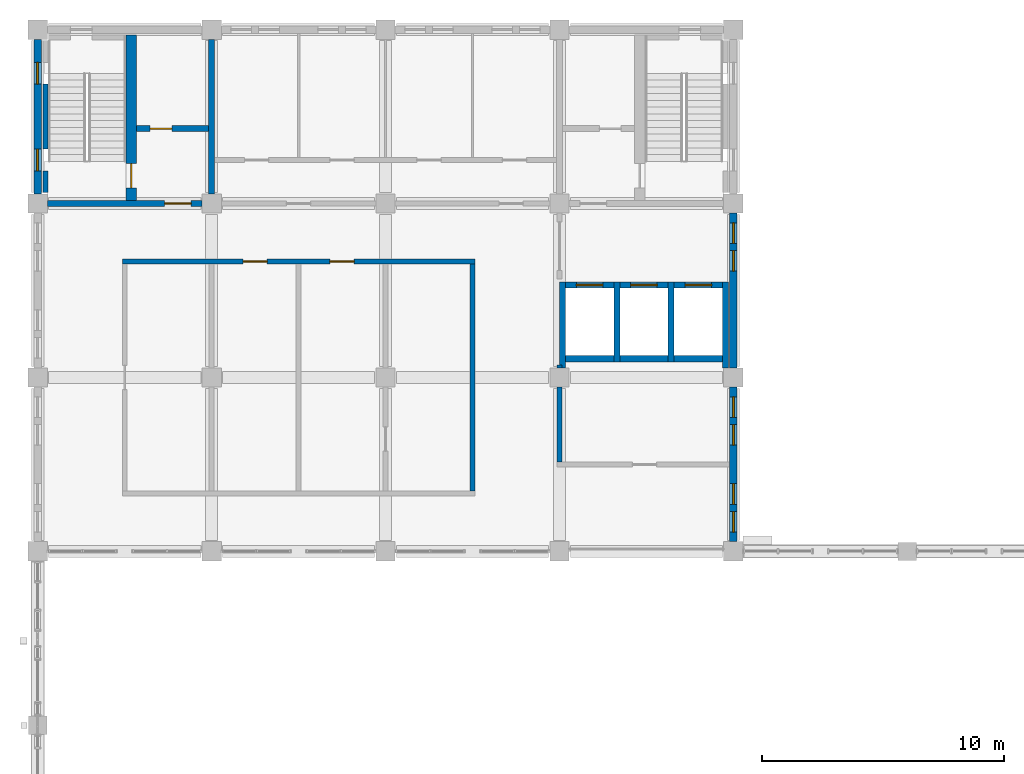
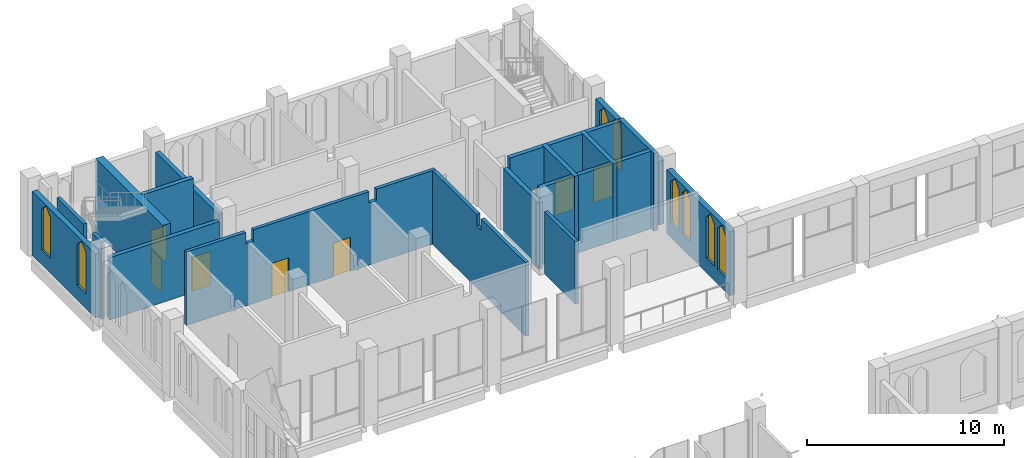
# One storey, part 22 of 31: 23 walls, 8 doors, 8 windows, 16 openings.
"""IFC4 building model written with IfcOpenShell, lengths in metres."""

import ifcopenshell
import ifcopenshell.guid

model = None  # the IFC model being written
_history = None  # IfcOwnerHistory: only IFC2X3 demands one
_inside = {}  # id of a spatial element -> (the spatial element, [elements in it])
_under = {}  # id of a project, library or spatial element -> (it, [spatial elements below it])
_declared = {}  # id of a project -> (the project, [libraries it declares])
_typed = {}  # id of a type object -> (the type object, [elements of that type])
_made_of = {}  # id of a material, layer set ... -> (it, [elements and type objects made of it])


def new_model(schema):
    """Start an empty IFC model of exactly this schema.

    Asked for "IFC4X3", IfcOpenShell would pick the latest addendum, in which some entities
    have other attributes; the version numbers below select the first issue.
    IFC2X3 requires an IfcOwnerHistory on every rooted entity: one is made here for all.
    """
    global model, _history
    if schema == "IFC4X3":
        model = ifcopenshell.file(schema_version=(4, 3, 0, 0))
    else:
        model = ifcopenshell.file(schema=schema)
    _inside.clear()
    _under.clear()
    _declared.clear()
    _typed.clear()
    _made_of.clear()
    _history = None
    if model.schema == "IFC2X3":
        org = make("IfcOrganization", Name="unknown")
        user = make(
            "IfcPersonAndOrganization",
            ThePerson=make("IfcPerson", FamilyName="unknown"),
            TheOrganization=org,
        )
        app = make(
            "IfcApplication",
            ApplicationDeveloper=org,
            Version="unknown",
            ApplicationFullName="unknown",
            ApplicationIdentifier="unknown",
        )
        _history = make(
            "IfcOwnerHistory",
            OwningUser=user,
            OwningApplication=app,
            ChangeAction="ADDED",
            CreationDate=0,
        )
    return model


def make(cls, **values):
    """One entity of the class cls with the attributes given. An attribute that is None is left unset."""
    return model.create_entity(
        cls, **{name: value for name, value in values.items() if value is not None}
    )


def rooted(cls, **values):
    """An entity with a GlobalId (a new one), such as an element, a storey or a relation."""
    return make(cls, GlobalId=ifcopenshell.guid.new(), OwnerHistory=_history, **values)


def si_unit(unit_type, name, prefix=None):
    """IfcSIUnit, for example si_unit("LENGTHUNIT", "METRE", prefix="MILLI")."""
    return make("IfcSIUnit", UnitType=unit_type, Prefix=prefix, Name=name)


def assignment(units):
    """IfcUnitAssignment: the units of a project."""
    return None if units is None else make("IfcUnitAssignment", Units=units)


def point(xyz):
    """IfcCartesianPoint."""
    return None if xyz is None else make("IfcCartesianPoint", Coordinates=xyz)


def direction(xyz):
    """IfcDirection."""
    return None if xyz is None else make("IfcDirection", DirectionRatios=xyz)


def frame(location, z_axis=None, x_axis=None):
    """IfcAxis2Placement3D, a coordinate frame: its origin and axes. An axis left out is left unset."""
    return make(
        "IfcAxis2Placement3D",
        Location=point(location),
        Axis=direction(z_axis),
        RefDirection=direction(x_axis),
    )


def frame_2d(location, x_axis=None):
    """IfcAxis2Placement2D, a coordinate frame in the plane: its origin and x axis."""
    return make(
        "IfcAxis2Placement2D", Location=point(location), RefDirection=direction(x_axis)
    )


def origin():
    """The frame at (0, 0, 0) with its axes left unset."""
    return frame((0.0, 0.0, 0.0))


def place(relative_to, where):
    """IfcLocalPlacement: puts the frame where relative to a parent placement (None: the world)."""
    return make(
        "IfcLocalPlacement", PlacementRelTo=relative_to, RelativePlacement=where
    )


def context(
    kind, dimensions, precision=None, world=None, true_north=None, identifier=None
):
    """IfcGeometricRepresentationContext, for example the 3D "Model" context."""
    return make(
        "IfcGeometricRepresentationContext",
        ContextIdentifier=identifier,
        ContextType=kind,
        CoordinateSpaceDimension=dimensions,
        Precision=precision,
        WorldCoordinateSystem=world,
        TrueNorth=true_north,
    )


def subcontext(parent, identifier, kind, view, scale=None):
    """IfcGeometricRepresentationSubContext, for example "Body" below "Model"."""
    return make(
        "IfcGeometricRepresentationSubContext",
        ContextIdentifier=identifier,
        ContextType=kind,
        ParentContext=parent,
        TargetScale=scale,
        TargetView=view,
    )


def project(units=None, contexts=None):
    """IfcProject with its units and contexts."""
    return rooted(
        "IfcProject",
        Name="project",
        RepresentationContexts=contexts,
        UnitsInContext=assignment(units),
    )


def spatial(cls, under=None, at=None, **own):
    """A site, building, storey or space (cls), placed at a placement, below another one or the project."""
    s = rooted(cls, ObjectPlacement=at, **own)
    if under is not None:
        _under.setdefault(under.id(), (under, []))[1].append(s)
    return s


def polyline(points):
    """IfcPolyline through the points."""
    return make("IfcPolyline", Points=[point(p) for p in points])


def profile(cls, at=None, kind="AREA", **sizes):
    """A parametric profile (cls). Its sizes go by their IFC names, for example OverallWidth=200.0."""
    return make(cls, ProfileType=kind, Position=at, **sizes)


def rectangle(**sizes):
    """IfcRectangleProfileDef."""
    return profile("IfcRectangleProfileDef", **sizes)


def outline(outer, holes=None, kind="AREA"):
    """IfcArbitraryClosedProfileDef: a profile drawn as a closed curve; with holes, ...WithVoids."""
    if holes is None:
        return make("IfcArbitraryClosedProfileDef", ProfileType=kind, OuterCurve=outer)
    return make(
        "IfcArbitraryProfileDefWithVoids",
        ProfileType=kind,
        OuterCurve=outer,
        InnerCurves=holes,
    )


def extrude(swept, where, along, depth):
    """IfcExtrudedAreaSolid: the profile swept, set in the frame where, extruded along a direction by depth."""
    return make(
        "IfcExtrudedAreaSolid",
        SweptArea=swept,
        Position=where,
        ExtrudedDirection=direction(along),
        Depth=depth,
    )


def shape(context_of_items, identifier, shape_type, items):
    """IfcShapeRepresentation: the items that make up one representation, for example the "Body"."""
    return make(
        "IfcShapeRepresentation",
        ContextOfItems=context_of_items,
        RepresentationIdentifier=identifier,
        RepresentationType=shape_type,
        Items=items,
    )


def material(Name=None, Category=None):
    """IfcMaterial."""
    return make("IfcMaterial", Name=Name, Category=Category)


def layer(
    of_material, thickness, ventilated=None, Name=None, Category=None, Priority=None
):
    """IfcMaterialLayer: one layer of a wall or slab, of a material (None: an air gap)."""
    return make(
        "IfcMaterialLayer",
        Material=of_material,
        LayerThickness=thickness,
        IsVentilated=ventilated,
        Name=Name,
        Category=Category,
        Priority=Priority,
    )


def layer_set(layers, Name=None):
    """IfcMaterialLayerSet."""
    return make("IfcMaterialLayerSet", MaterialLayers=layers, LayerSetName=Name)


def made_of(thing, what):
    """Note that an element or type object is made of a material, layer set ...; save() writes the relation."""
    if what is not None:
        _made_of.setdefault(what.id(), (what, []))[1].append(thing)
    return thing


def type_object(cls, material=None, **own):
    """A type object (cls), such as IfcWallType, which elements share."""
    return made_of(rooted(cls, **own), material)


def element(
    cls,
    number,
    at=None,
    inside=None,
    cuts=None,
    type_object=None,
    material=None,
    context=None,
    identifier="Body",
    shape_type=None,
    held_by="IfcProductDefinitionShape",
    body=None,
    shapes=None,
    **own,
):
    """One element of the class cls, such as IfcWall. Its Tag is "e" and its number.

    at: its placement. inside: the storey or other place that contains it. cuts: it is an
    opening in that element (IfcRelVoidsElement). A single representation is given by context,
    identifier, shape_type and body (its items); several are given by shapes. held_by: the class
    of the entity that holds the representations. save() writes the other relations.
    """
    e = rooted(cls, Tag="e%d" % number, ObjectPlacement=at, **own)
    if body is not None:
        shapes = [shape(context, identifier, shape_type, body)]
    if shapes is not None:
        e.Representation = make(held_by, Representations=shapes)
    if inside is not None:
        _inside.setdefault(inside.id(), (inside, []))[1].append(e)
    if cuts is not None:
        rooted(
            "IfcRelVoidsElement", RelatingBuildingElement=cuts, RelatedOpeningElement=e
        )
    if type_object is not None:
        _typed.setdefault(type_object.id(), (type_object, []))[1].append(e)
    return made_of(e, material)


def fill(opening, filler):
    """IfcRelFillsElement: the door or window that sits in an opening."""
    return rooted(
        "IfcRelFillsElement",
        RelatingOpeningElement=opening,
        RelatedBuildingElement=filler,
    )


def aggregate(whole, parts):
    """IfcRelAggregates: a whole, such as a stair, and the parts it consists of."""
    return rooted("IfcRelAggregates", RelatingObject=whole, RelatedObjects=parts)


def save(model, path):
    """Write the relations noted so far, then the file.

    IfcRelAggregates (storeys below a building ...), IfcRelContainedInSpatialStructure (elements
    in a storey), IfcRelDefinesByType, IfcRelAssociatesMaterial and IfcRelDeclares: one each for
    every whole, place, type object, material and project.
    """
    for whole, parts in _under.values():
        aggregate(whole, parts)
    for where, things in _inside.values():
        rooted(
            "IfcRelContainedInSpatialStructure",
            RelatedElements=things,
            RelatingStructure=where,
        )
    for kind, things in _typed.values():
        rooted("IfcRelDefinesByType", RelatedObjects=things, RelatingType=kind)
    for what, things in _made_of.values():
        rooted("IfcRelAssociatesMaterial", RelatedObjects=things, RelatingMaterial=what)
    for by, libraries in _declared.values():
        rooted("IfcRelDeclares", RelatingContext=by, RelatedDefinitions=libraries)
    model.write(path)


model = new_model("IFC4")

# Units and contexts
model_context = context("Model", 3, precision=1e-05, world=origin(), true_north=direction((0.0, 1.0)))
body_context = subcontext(model_context, "Body", "Model", "MODEL_VIEW")
ifc_project = project(units=[si_unit("LENGTHUNIT", "METRE"), si_unit("AREAUNIT", "SQUARE_METRE"), si_unit("VOLUMEUNIT", "CUBIC_METRE"), si_unit("PLANEANGLEUNIT", "RADIAN"), si_unit("MASSUNIT", "GRAM", prefix="KILO")], contexts=[model_context])

# Site, building, storey
site_placement = place(None, origin())
site = spatial("IfcSite", under=ifc_project, at=site_placement, CompositionType="ELEMENT")
building_placement = place(site_placement, origin())
building = spatial("IfcBuilding", under=site, at=building_placement, Name="Silangan Lancet Faculty of Sciences", CompositionType="ELEMENT")
storey_placement = place(building_placement, frame((0.0, 0.0, 36.0)))
storey = spatial("IfcBuildingStorey", under=building, at=storey_placement, Name="L07", CompositionType="ELEMENT", Elevation=36.0)

# Wall, openings, windows
ifc_material_1 = material(Name="Concrete C40/50 precast", Category="concrete")
ifc_layer_1 = layer(ifc_material_1, 0.300048828125)
ifc_layer_set_1 = layer_set([ifc_layer_1], Name="Concrete C40/50 precast")
wall_type_1 = type_object("IfcWallType", Name="EW1 Precast cladding wall", PredefinedType="STANDARD", material=ifc_layer_set_1)
wall_1_placement = place(storey_placement, frame((28.800048828125, 36.39990234375, 0.0), z_axis=(0.0, 0.0, 1.0), x_axis=(0.0, 1.0, 0.0)))
wall_1 = element("IfcWall", 1, at=wall_1_placement, inside=storey, type_object=wall_type_1, Name="EW-L07-E-NT-00", PredefinedType="STANDARD", context=body_context, shape_type="SweptSolid", body=[
    extrude(rectangle(XDim=6.400146484375, YDim=0.300048828125, at=frame_2d((3.2001953125, 0.0))), origin(), (0.0, 0.0, 1.0), 3.949951171875),
])
opening_1_placement = place(wall_1_placement, frame((0.39990234375, 0.0, 0.89990234375)))
opening_1 = element("IfcOpeningElement", 2, at=opening_1_placement, cuts=wall_1, Name="Opening W19", PredefinedType="OPENING", context=body_context, shape_type="SweptSolid", body=[
    extrude(outline(polyline([(0.0, 0.0), (0.85009765625, 0.0), (0.85009765625, 2.550048828125), (0.425048828125, 3.0), (0.0, 2.550048828125), (0.0, 0.0)])), frame((0.0, 0.159912109375, 0.0), z_axis=(0.0, -1.0, 0.0), x_axis=(1.0, 0.0, 0.0)), (0.0, 0.0, 1.0), 0.320068359375),
])
opening_2_placement = place(wall_1_placement, frame((1.550048828125, 0.0, 0.89990234375)))
opening_2 = element("IfcOpeningElement", 3, at=opening_2_placement, cuts=wall_1, Name="Opening W19", PredefinedType="OPENING", context=body_context, shape_type="SweptSolid", body=[
    extrude(outline(polyline([(0.0, 0.0), (0.85009765625, 0.0), (0.85009765625, 2.550048828125), (0.425048828125, 3.0), (0.0, 2.550048828125), (0.0, 0.0)])), frame((0.0, 0.159912109375, 0.0), z_axis=(0.0, -1.0, 0.0), x_axis=(1.0, 0.0, 0.0)), (0.0, 0.0, 1.0), 0.320068359375),
])
opening_3_placement = place(wall_1_placement, frame((4.0, 0.0, 0.89990234375)))
opening_3 = element("IfcOpeningElement", 4, at=opening_3_placement, cuts=wall_1, Name="Opening W19", PredefinedType="OPENING", context=body_context, shape_type="SweptSolid", body=[
    extrude(outline(polyline([(0.0, 0.0), (0.85009765625, 0.0), (0.85009765625, 2.550048828125), (0.425048828125, 3.0), (0.0, 2.550048828125), (0.0, 0.0)])), frame((0.0, 0.159912109375, 0.0), z_axis=(0.0, -1.0, 0.0), x_axis=(1.0, 0.0, 0.0)), (0.0, 0.0, 1.0), 0.320068359375),
])
opening_4_placement = place(wall_1_placement, frame((5.14990234375, 0.0, 0.89990234375)))
opening_4 = element("IfcOpeningElement", 5, at=opening_4_placement, cuts=wall_1, Name="Opening W19", PredefinedType="OPENING", context=body_context, shape_type="SweptSolid", body=[
    extrude(outline(polyline([(0.0, 0.0), (0.85009765625, 0.0), (0.85009765625, 2.550048828125), (0.425048828125, 3.0), (0.0, 2.550048828125), (0.0, 0.0)])), frame((0.0, 0.159912109375, 0.0), z_axis=(0.0, -1.0, 0.0), x_axis=(1.0, 0.0, 0.0)), (0.0, 0.0, 1.0), 0.320068359375),
])
ifc_material_2 = material(Name="Aluminium frame, laminated double glazing", Category="aluminium")
window_type_1 = type_object("IfcWindowType", Name="W19 Lancet window 850 x 3000", PartitioningType="SINGLE_PANEL", PredefinedType="WINDOW", material=ifc_material_2)
window_1_placement = place(opening_1_placement, origin())
window_1 = element("IfcWindow", 6, at=window_1_placement, inside=storey, type_object=window_type_1, Name="WIN-L07-E-NT-00a1", OverallHeight=3.0, OverallWidth=0.85009765625, PartitioningType="SINGLE_PANEL", PredefinedType="WINDOW", context=body_context, shape_type="SweptSolid", body=[
    extrude(outline(polyline([(0.0, 0.0), (0.85009765625, 0.0), (0.85009765625, 2.550048828125), (0.425048828125, 3.0), (0.0, 2.550048828125), (0.0, 0.0)])), frame((0.0, 0.030029296875, 0.0), z_axis=(0.0, -1.0, 0.0), x_axis=(1.0, 0.0, 0.0)), (0.0, 0.0, 1.0), 0.06005859375),
])
fill(opening_1, window_1)
window_2_placement = place(opening_2_placement, origin())
window_2 = element("IfcWindow", 7, at=window_2_placement, inside=storey, type_object=window_type_1, Name="WIN-L07-E-NT-00a2", OverallHeight=3.0, OverallWidth=0.85009765625, PartitioningType="SINGLE_PANEL", PredefinedType="WINDOW", context=body_context, shape_type="SweptSolid", body=[
    extrude(outline(polyline([(0.0, 0.0), (0.85009765625, 0.0), (0.85009765625, 2.550048828125), (0.425048828125, 3.0), (0.0, 2.550048828125), (0.0, 0.0)])), frame((0.0, 0.030029296875, 0.0), z_axis=(0.0, -1.0, 0.0), x_axis=(1.0, 0.0, 0.0)), (0.0, 0.0, 1.0), 0.06005859375),
])
fill(opening_2, window_2)
window_3_placement = place(opening_3_placement, origin())
window_3 = element("IfcWindow", 8, at=window_3_placement, inside=storey, type_object=window_type_1, Name="WIN-L07-E-NT-00b1", OverallHeight=3.0, OverallWidth=0.85009765625, PartitioningType="SINGLE_PANEL", PredefinedType="WINDOW", context=body_context, shape_type="SweptSolid", body=[
    extrude(outline(polyline([(0.0, 0.0), (0.85009765625, 0.0), (0.85009765625, 2.550048828125), (0.425048828125, 3.0), (0.0, 2.550048828125), (0.0, 0.0)])), frame((0.0, 0.030029296875, 0.0), z_axis=(0.0, -1.0, 0.0), x_axis=(1.0, 0.0, 0.0)), (0.0, 0.0, 1.0), 0.06005859375),
])
fill(opening_3, window_3)
window_4_placement = place(opening_4_placement, origin())
window_4 = element("IfcWindow", 9, at=window_4_placement, inside=storey, type_object=window_type_1, Name="WIN-L07-E-NT-00b2", OverallHeight=3.0, OverallWidth=0.85009765625, PartitioningType="SINGLE_PANEL", PredefinedType="WINDOW", context=body_context, shape_type="SweptSolid", body=[
    extrude(outline(polyline([(0.0, 0.0), (0.85009765625, 0.0), (0.85009765625, 2.550048828125), (0.425048828125, 3.0), (0.0, 2.550048828125), (0.0, 0.0)])), frame((0.0, 0.030029296875, 0.0), z_axis=(0.0, -1.0, 0.0), x_axis=(1.0, 0.0, 0.0)), (0.0, 0.0, 1.0), 0.06005859375),
])
fill(opening_4, window_4)

wall_2_placement = place(storey_placement, frame((28.800048828125, 43.60009765625, 0.0), z_axis=(0.0, 0.0, 1.0), x_axis=(0.0, 1.0, 0.0)))
wall_2 = element("IfcWall", 10, at=wall_2_placement, inside=storey, type_object=wall_type_1, Name="EW-L07-E-NT-01", PredefinedType="STANDARD", context=body_context, shape_type="SweptSolid", body=[
    extrude(rectangle(XDim=6.39990234375, YDim=0.300048828125, at=frame_2d((3.199951171875, 0.0))), origin(), (0.0, 0.0, 1.0), 3.949951171875),
])
opening_5_placement = place(wall_2_placement, frame((4.0, 0.0, 0.89990234375)))
opening_5 = element("IfcOpeningElement", 11, at=opening_5_placement, cuts=wall_2, Name="Opening W19", PredefinedType="OPENING", context=body_context, shape_type="SweptSolid", body=[
    extrude(outline(polyline([(0.0, 0.0), (0.85009765625, 0.0), (0.85009765625, 2.550048828125), (0.425048828125, 3.0), (0.0, 2.550048828125), (0.0, 0.0)])), frame((0.0, 0.159912109375, 0.0), z_axis=(0.0, -1.0, 0.0), x_axis=(1.0, 0.0, 0.0)), (0.0, 0.0, 1.0), 0.320068359375),
])
opening_6_placement = place(wall_2_placement, frame((5.14990234375, 0.0, 0.89990234375)))
opening_6 = element("IfcOpeningElement", 12, at=opening_6_placement, cuts=wall_2, Name="Opening W19", PredefinedType="OPENING", context=body_context, shape_type="SweptSolid", body=[
    extrude(outline(polyline([(0.0, 0.0), (0.85009765625, 0.0), (0.85009765625, 2.550048828125), (0.425048828125, 3.0), (0.0, 2.550048828125), (0.0, 0.0)])), frame((0.0, 0.159912109375, 0.0), z_axis=(0.0, -1.0, 0.0), x_axis=(1.0, 0.0, 0.0)), (0.0, 0.0, 1.0), 0.320068359375),
])
window_5_placement = place(opening_5_placement, origin())
window_5 = element("IfcWindow", 13, at=window_5_placement, inside=storey, type_object=window_type_1, Name="WIN-L07-E-NT-01b1", OverallHeight=3.0, OverallWidth=0.85009765625, PartitioningType="SINGLE_PANEL", PredefinedType="WINDOW", context=body_context, shape_type="SweptSolid", body=[
    extrude(outline(polyline([(0.0, 0.0), (0.85009765625, 0.0), (0.85009765625, 2.550048828125), (0.425048828125, 3.0), (0.0, 2.550048828125), (0.0, 0.0)])), frame((0.0, 0.030029296875, 0.0), z_axis=(0.0, -1.0, 0.0), x_axis=(1.0, 0.0, 0.0)), (0.0, 0.0, 1.0), 0.06005859375),
])
fill(opening_5, window_5)
window_6_placement = place(opening_6_placement, origin())
window_6 = element("IfcWindow", 14, at=window_6_placement, inside=storey, type_object=window_type_1, Name="WIN-L07-E-NT-01b2", OverallHeight=3.0, OverallWidth=0.85009765625, PartitioningType="SINGLE_PANEL", PredefinedType="WINDOW", context=body_context, shape_type="SweptSolid", body=[
    extrude(outline(polyline([(0.0, 0.0), (0.85009765625, 0.0), (0.85009765625, 2.550048828125), (0.425048828125, 3.0), (0.0, 2.550048828125), (0.0, 0.0)])), frame((0.0, 0.030029296875, 0.0), z_axis=(0.0, -1.0, 0.0), x_axis=(1.0, 0.0, 0.0)), (0.0, 0.0, 1.0), 0.06005859375),
])
fill(opening_6, window_6)

ifc_material_3 = material(Name="Concrete C40/50 precast", Category="concrete")
ifc_layer_2 = layer(ifc_material_3, 0.300048828125)
ifc_layer_set_2 = layer_set([ifc_layer_2], Name="Concrete C40/50 precast")
wall_type_2 = type_object("IfcWallType", Name="EW2 Turret enclosure wall", PredefinedType="STANDARD", material=ifc_layer_set_2)
wall_3_placement = place(storey_placement, frame((0.0, 50.800048828125, 0.0), z_axis=(0.0, 0.0, 1.0), x_axis=(0.0, 1.0, 0.0)))
wall_3 = element("IfcWall", 15, at=wall_3_placement, inside=storey, type_object=wall_type_2, Name="EW-L07-W-NT-02", PredefinedType="STANDARD", context=body_context, shape_type="SweptSolid", body=[
    extrude(rectangle(XDim=6.39990234375, YDim=0.300048828125, at=frame_2d((3.199951171875, 0.0))), origin(), (0.0, 0.0, 1.0), 3.949951171875),
])
opening_7_placement = place(wall_3_placement, frame((0.949951171875, 0.0, 0.89990234375)))
opening_7 = element("IfcOpeningElement", 16, at=opening_7_placement, cuts=wall_3, Name="Opening W17", PredefinedType="OPENING", context=body_context, shape_type="SweptSolid", body=[
    extrude(outline(polyline([(0.0, 0.0), (0.89990234375, 0.0), (0.89990234375, 2.550048828125), (0.449951171875, 3.0), (0.0, 2.550048828125), (0.0, 0.0)])), frame((0.0, 0.159912109375, 0.0), z_axis=(0.0, -1.0, 0.0), x_axis=(1.0, 0.0, 0.0)), (0.0, 0.0, 1.0), 0.320068359375),
])
opening_8_placement = place(wall_3_placement, frame((4.550048828125, 0.0, 0.89990234375)))
opening_8 = element("IfcOpeningElement", 17, at=opening_8_placement, cuts=wall_3, Name="Opening W17", PredefinedType="OPENING", context=body_context, shape_type="SweptSolid", body=[
    extrude(outline(polyline([(0.0, 0.0), (0.89990234375, 0.0), (0.89990234375, 2.550048828125), (0.449951171875, 3.0), (0.0, 2.550048828125), (0.0, 0.0)])), frame((0.0, 0.159912109375, 0.0), z_axis=(0.0, -1.0, 0.0), x_axis=(1.0, 0.0, 0.0)), (0.0, 0.0, 1.0), 0.320068359375),
])
ifc_material_4 = material(Name="Aluminium frame, laminated double glazing", Category="aluminium")
window_type_2 = type_object("IfcWindowType", Name="W17 Lancet window 900 x 3000", PartitioningType="SINGLE_PANEL", PredefinedType="WINDOW", material=ifc_material_4)
window_7_placement = place(opening_7_placement, origin())
window_7 = element("IfcWindow", 18, at=window_7_placement, inside=storey, type_object=window_type_2, Name="WIN-L07-W-NT-02a", OverallHeight=3.0, OverallWidth=0.89990234375, PartitioningType="SINGLE_PANEL", PredefinedType="WINDOW", context=body_context, shape_type="SweptSolid", body=[
    extrude(outline(polyline([(0.0, 0.0), (0.89990234375, 0.0), (0.89990234375, 2.550048828125), (0.449951171875, 3.0), (0.0, 2.550048828125), (0.0, 0.0)])), frame((0.0, 0.030029296875, 0.0), z_axis=(0.0, -1.0, 0.0), x_axis=(1.0, 0.0, 0.0)), (0.0, 0.0, 1.0), 0.06005859375),
])
fill(opening_7, window_7)
window_8_placement = place(opening_8_placement, origin())
window_8 = element("IfcWindow", 19, at=window_8_placement, inside=storey, type_object=window_type_2, Name="WIN-L07-W-NT-02b", OverallHeight=3.0, OverallWidth=0.89990234375, PartitioningType="SINGLE_PANEL", PredefinedType="WINDOW", context=body_context, shape_type="SweptSolid", body=[
    extrude(outline(polyline([(0.0, 0.0), (0.89990234375, 0.0), (0.89990234375, 2.550048828125), (0.449951171875, 3.0), (0.0, 2.550048828125), (0.0, 0.0)])), frame((0.0, 0.030029296875, 0.0), z_axis=(0.0, -1.0, 0.0), x_axis=(1.0, 0.0, 0.0)), (0.0, 0.0, 1.0), 0.06005859375),
])
fill(opening_8, window_8)

# Wall, openings, doors
ifc_material_5 = material(Name="Hollow block masonry fm 7 MPa", Category="masonry")
ifc_layer_3 = layer(ifc_material_5, 0.199951171875)
ifc_layer_set_3 = layer_set([ifc_layer_3], Name="Hollow block masonry fm 7 MPa")
wall_type_3 = type_object("IfcWallType", Name="Interior wall PW1 Corridor wall CHB 200", PredefinedType="PARTITIONING", material=ifc_layer_set_3)
wall_4_placement = place(storey_placement, frame((3.5, 48.0, 0.0), z_axis=(0.0, 0.0, 1.0), x_axis=(1.0, 0.0, 0.0)))
wall_4 = element("IfcWall", 20, at=wall_4_placement, inside=storey, type_object=wall_type_3, Name="Corridor wall CHB 200", PredefinedType="PARTITIONING", context=body_context, shape_type="SweptSolid", body=[
    extrude(outline(polyline([(0.0, 0.0), (14.60009765625, 0.0), (14.60009765625, 4.550048828125), (11.125, 4.550048828125), (11.125, 3.85009765625), (10.675048828125, 3.85009765625), (10.675048828125, 4.550048828125), (3.925048828125, 4.550048828125), (3.925048828125, 3.85009765625), (3.47509765625, 3.85009765625), (3.47509765625, 4.550048828125), (0.0, 4.550048828125), (0.0, 0.0)])), frame((0.0, 0.10009765625, 0.0), z_axis=(0.0, -1.0, 0.0), x_axis=(1.0, 0.0, 0.0)), (0.0, 0.0, 1.0), 0.199951171875),
])
opening_9_placement = place(wall_4_placement, frame((5.0, 0.0, 0.0)))
opening_9 = element("IfcOpeningElement", 21, at=opening_9_placement, cuts=wall_4, Name="Opening L07-024", PredefinedType="OPENING", context=body_context, shape_type="SweptSolid", body=[
    extrude(rectangle(XDim=1.0, YDim=2.10009765625, at=frame_2d((0.5, 1.050048828125))), frame((0.0, 0.10986328125, 0.0), z_axis=(0.0, -1.0, 0.0), x_axis=(1.0, 0.0, 0.0)), (0.0, 0.0, 1.0), 0.219970703125),
])
opening_10_placement = place(wall_4_placement, frame((8.60009765625, 0.0, 0.0)))
opening_10 = element("IfcOpeningElement", 22, at=opening_10_placement, cuts=wall_4, Name="Opening L07-025", PredefinedType="OPENING", context=body_context, shape_type="SweptSolid", body=[
    extrude(rectangle(XDim=1.0, YDim=2.10009765625, at=frame_2d((0.5, 1.050048828125))), frame((0.0, 0.10986328125, 0.0), z_axis=(0.0, -1.0, 0.0), x_axis=(1.0, 0.0, 0.0)), (0.0, 0.0, 1.0), 0.219970703125),
])
ifc_material_6 = material(Name="Steel fire door set", Category="steel")
door_type_1 = type_object("IfcDoorType", Name="Door D1 Single leaf fire door 1000 x 2100", OperationType="SINGLE_SWING_LEFT", PredefinedType="DOOR", material=ifc_material_6)
door_1_placement = place(opening_9_placement, frame((1.0, 0.0, 0.0), z_axis=(0.0, 0.0, 1.0), x_axis=(-1.0, 0.0, 0.0)))
door_1 = element("IfcDoor", 23, at=door_1_placement, inside=storey, type_object=door_type_1, Name="Single leaf fire door 1000 x 2100", OperationType="SINGLE_SWING_LEFT", OverallHeight=2.10009765625, OverallWidth=1.0, PredefinedType="DOOR", context=body_context, shape_type="SweptSolid", body=[
    extrude(rectangle(XDim=1.0, YDim=2.10009765625, at=frame_2d((0.5, 1.050048828125))), frame((0.0, 0.025146484375, 0.0), z_axis=(0.0, -1.0, 0.0), x_axis=(1.0, 0.0, 0.0)), (0.0, 0.0, 1.0), 0.050048828125),
])
fill(opening_9, door_1)
door_2_placement = place(opening_10_placement, frame((1.0, 0.0, 0.0), z_axis=(0.0, 0.0, 1.0), x_axis=(-1.0, 0.0, 0.0)))
door_2 = element("IfcDoor", 24, at=door_2_placement, inside=storey, type_object=door_type_1, Name="Single leaf fire door 1000 x 2100", OperationType="SINGLE_SWING_RIGHT", OverallHeight=2.10009765625, OverallWidth=1.0, PredefinedType="DOOR", context=body_context, shape_type="SweptSolid", body=[
    extrude(rectangle(XDim=1.0, YDim=2.10009765625, at=frame_2d((0.5, 1.050048828125))), frame((0.0, 0.025146484375, 0.0), z_axis=(0.0, -1.0, 0.0), x_axis=(1.0, 0.0, 0.0)), (0.0, 0.0, 1.0), 0.050048828125),
])
fill(opening_10, door_2)

# Walls
wall_5_placement = place(storey_placement, frame((18.0, 38.5, 0.0), z_axis=(0.0, 0.0, 1.0), x_axis=(0.0, 1.0, 0.0)))
element("IfcWall", 25, at=wall_5_placement, inside=storey, type_object=wall_type_3, Name="Corridor wall CHB 200", PredefinedType="PARTITIONING", context=body_context, shape_type="SweptSolid", body=[
    extrude(outline(polyline([(0.0, 0.0), (9.39990234375, 0.0), (9.39990234375, 4.550048828125), (4.925048828125, 4.550048828125), (4.925048828125, 3.85009765625), (4.47509765625, 3.85009765625), (4.47509765625, 4.550048828125), (0.0, 4.550048828125), (0.0, 0.0)])), frame((0.0, 0.10009765625, 0.0), z_axis=(0.0, -1.0, 0.0), x_axis=(1.0, 0.0, 0.0)), (0.0, 0.0, 1.0), 0.199951171875),
])
wall_6_placement = place(storey_placement, frame((21.60009765625, 39.699951171875, 0.0), z_axis=(0.0, 0.0, 1.0), x_axis=(0.0, 1.0, 0.0)))
element("IfcWall", 26, at=wall_6_placement, inside=storey, type_object=wall_type_3, Name="Corridor wall CHB 200", PredefinedType="PARTITIONING", context=body_context, shape_type="SweptSolid", body=[
    extrude(rectangle(XDim=3.10009765625, YDim=0.199951171875, at=frame_2d((1.550048828125, 0.0))), origin(), (0.0, 0.0, 1.0), 3.85009765625),
])
wall_7_placement = place(storey_placement, frame((21.60009765625, 43.60009765625, 0.0), z_axis=(0.0, 0.0, 1.0), x_axis=(0.0, 1.0, 0.0)))
element("IfcWall", 27, at=wall_7_placement, inside=storey, type_object=wall_type_3, Name="Corridor wall CHB 200", PredefinedType="PARTITIONING", context=body_context, shape_type="SweptSolid", body=[
    extrude(rectangle(XDim=0.125, YDim=0.199951171875, at=frame_2d((0.0625, 0.0))), origin(), (0.0, 0.0, 1.0), 3.85009765625),
])
ifc_material_7 = material(Name="Concrete C40/50", Category="concrete")
ifc_layer_4 = layer(ifc_material_7, 0.25)
ifc_layer_set_4 = layer_set([ifc_layer_4], Name="Concrete C40/50")
wall_type_4 = type_object("IfcWallType", Name="LIFT SHAFT WALL RC 250", PredefinedType="SHEAR", material=ifc_layer_set_4)
wall_8_placement = place(storey_placement, frame((21.72509765625, 43.60009765625, -0.25), z_axis=(0.0, 0.0, 1.0), x_axis=(0.0, 1.0, 0.0)))
element("IfcWall", 28, at=wall_8_placement, inside=storey, type_object=wall_type_4, Name="WALL-L07-NT-SW1", PredefinedType="SHEAR", context=body_context, shape_type="SweptSolid", body=[
    extrude(rectangle(XDim=3.5498046875, YDim=0.25, at=frame_2d((1.77490234375, 0.0))), origin(), (0.0, 0.0, 1.0), 4.10009765625),
])
for number, where, z_axis, x_axis, name in (
    (29, (23.97509765625, 43.85009765625, -0.25), (0.0, 0.0, 1.0), (0.0, 1.0, 0.0), "WALL-L07-NT-SW2"),
    (30, (26.22509765625, 43.85009765625, -0.25), (0.0, 0.0, 1.0), (0.0, 1.0, 0.0), "WALL-L07-NT-SW3"),
):
    element("IfcWall", number, at=place(storey_placement, frame(where, z_axis=z_axis, x_axis=x_axis)), inside=storey, type_object=wall_type_4, Name=name, PredefinedType="SHEAR", context=body_context, shape_type="SweptSolid", body=[
        extrude(rectangle(XDim=3.2998046875, YDim=0.25, at=frame_2d((1.64990234375, 0.0))), origin(), (0.0, 0.0, 1.0), 4.800048828125),
    ])
wall_9_placement = place(storey_placement, frame((28.47509765625, 43.60009765625, -0.25), z_axis=(0.0, 0.0, 1.0), x_axis=(0.0, 1.0, 0.0)))
element("IfcWall", 31, at=wall_9_placement, inside=storey, type_object=wall_type_4, Name="WALL-L07-NT-SW4", PredefinedType="SHEAR", context=body_context, shape_type="SweptSolid", body=[
    extrude(rectangle(XDim=3.5498046875, YDim=0.25, at=frame_2d((1.77490234375, 0.0))), origin(), (0.0, 0.0, 1.0), 4.800048828125),
])

# Wall, opening, door
wall_10_placement = place(storey_placement, frame((21.85009765625, 47.02490234375, -0.25), z_axis=(0.0, 0.0, 1.0), x_axis=(1.0, 0.0, 0.0)))
wall_10 = element("IfcWall", 32, at=wall_10_placement, inside=storey, type_object=wall_type_4, Name="WALL-L07-NT-L1-F", PredefinedType="SHEAR", context=body_context, shape_type="SweptSolid", body=[
    extrude(rectangle(XDim=2.0, YDim=0.25, at=frame_2d((1.0, 0.0))), origin(), (0.0, 0.0, 1.0), 4.800048828125),
])
opening_11_placement = place(wall_10_placement, frame((0.449951171875, 0.0, 0.25)))
opening_11 = element("IfcOpeningElement", 33, at=opening_11_placement, cuts=wall_10, Name="Opening L07-801", PredefinedType="OPENING", context=body_context, shape_type="SweptSolid", body=[
    extrude(rectangle(XDim=1.10009765625, YDim=2.10009765625, at=frame_2d((0.550048828125, 1.050048828125))), frame((0.0, 0.135009765625, 0.0), z_axis=(0.0, -1.0, 0.0), x_axis=(1.0, 0.0, 0.0)), (0.0, 0.0, 1.0), 0.27001953125),
])
ifc_material_8 = material(Name="Stainless steel sliding door", Category="steel")
door_type_2 = type_object("IfcDoorType", Name="LD1 Lift landing door 1100x2100", OperationType="SLIDING_TO_LEFT", PredefinedType="DOOR", material=ifc_material_8)
door_3_placement = place(opening_11_placement, origin())
door_3 = element("IfcDoor", 34, at=door_3_placement, inside=storey, type_object=door_type_2, Name="Landing door NT-L1 L07", OperationType="SLIDING_TO_LEFT", OverallHeight=2.10009765625, OverallWidth=1.10009765625, PredefinedType="DOOR", context=body_context, shape_type="SweptSolid", body=[
    extrude(rectangle(XDim=1.10009765625, YDim=2.10009765625, at=frame_2d((0.550048828125, 1.050048828125))), frame((0.0, 0.02490234375, 0.0), z_axis=(0.0, -1.0, 0.0), x_axis=(1.0, 0.0, 0.0)), (0.0, 0.0, 1.0), 0.050048828125),
])
fill(opening_11, door_3)

# Wall
wall_11_placement = place(storey_placement, frame((21.85009765625, 43.97509765625, -0.25), z_axis=(0.0, 0.0, 1.0), x_axis=(1.0, 0.0, 0.0)))
element("IfcWall", 35, at=wall_11_placement, inside=storey, type_object=wall_type_4, Name="WALL-L07-NT-L1-B", PredefinedType="SHEAR", context=body_context, shape_type="SweptSolid", body=[
    extrude(rectangle(XDim=2.0, YDim=0.25, at=frame_2d((1.0, 0.0))), origin(), (0.0, 0.0, 1.0), 4.800048828125),
])

# Wall, opening, door
wall_12_placement = place(storey_placement, frame((24.10009765625, 47.02490234375, -0.25), z_axis=(0.0, 0.0, 1.0), x_axis=(1.0, 0.0, 0.0)))
wall_12 = element("IfcWall", 36, at=wall_12_placement, inside=storey, type_object=wall_type_4, Name="WALL-L07-NT-L2-F", PredefinedType="SHEAR", context=body_context, shape_type="SweptSolid", body=[
    extrude(rectangle(XDim=2.0, YDim=0.25, at=frame_2d((1.0, 0.0))), origin(), (0.0, 0.0, 1.0), 4.800048828125),
])
opening_12_placement = place(wall_12_placement, frame((0.449951171875, 0.0, 0.25)))
opening_12 = element("IfcOpeningElement", 37, at=opening_12_placement, cuts=wall_12, Name="Opening L07-802", PredefinedType="OPENING", context=body_context, shape_type="SweptSolid", body=[
    extrude(rectangle(XDim=1.10009765625, YDim=2.10009765625, at=frame_2d((0.550048828125, 1.050048828125))), frame((0.0, 0.135009765625, 0.0), z_axis=(0.0, -1.0, 0.0), x_axis=(1.0, 0.0, 0.0)), (0.0, 0.0, 1.0), 0.27001953125),
])
door_4_placement = place(opening_12_placement, origin())
door_4 = element("IfcDoor", 38, at=door_4_placement, inside=storey, type_object=door_type_2, Name="Landing door NT-L2 L07", OperationType="SLIDING_TO_LEFT", OverallHeight=2.10009765625, OverallWidth=1.10009765625, PredefinedType="DOOR", context=body_context, shape_type="SweptSolid", body=[
    extrude(rectangle(XDim=1.10009765625, YDim=2.10009765625, at=frame_2d((0.550048828125, 1.050048828125))), frame((0.0, 0.02490234375, 0.0), z_axis=(0.0, -1.0, 0.0), x_axis=(1.0, 0.0, 0.0)), (0.0, 0.0, 1.0), 0.050048828125),
])
fill(opening_12, door_4)

# Wall
wall_13_placement = place(storey_placement, frame((24.10009765625, 43.97509765625, -0.25), z_axis=(0.0, 0.0, 1.0), x_axis=(1.0, 0.0, 0.0)))
element("IfcWall", 39, at=wall_13_placement, inside=storey, type_object=wall_type_4, Name="WALL-L07-NT-L2-B", PredefinedType="SHEAR", context=body_context, shape_type="SweptSolid", body=[
    extrude(rectangle(XDim=2.0, YDim=0.25, at=frame_2d((1.0, 0.0))), origin(), (0.0, 0.0, 1.0), 4.800048828125),
])

# Wall, opening, door
wall_14_placement = place(storey_placement, frame((26.35009765625, 47.02490234375, -0.25), z_axis=(0.0, 0.0, 1.0), x_axis=(1.0, 0.0, 0.0)))
wall_14 = element("IfcWall", 40, at=wall_14_placement, inside=storey, type_object=wall_type_4, Name="WALL-L07-NT-L3-F", PredefinedType="SHEAR", context=body_context, shape_type="SweptSolid", body=[
    extrude(rectangle(XDim=2.0, YDim=0.25, at=frame_2d((1.0, 0.0))), origin(), (0.0, 0.0, 1.0), 4.800048828125),
])
opening_13_placement = place(wall_14_placement, frame((0.449951171875, 0.0, 0.25)))
opening_13 = element("IfcOpeningElement", 41, at=opening_13_placement, cuts=wall_14, Name="Opening L07-803", PredefinedType="OPENING", context=body_context, shape_type="SweptSolid", body=[
    extrude(rectangle(XDim=1.10009765625, YDim=2.10009765625, at=frame_2d((0.550048828125, 1.050048828125))), frame((0.0, 0.135009765625, 0.0), z_axis=(0.0, -1.0, 0.0), x_axis=(1.0, 0.0, 0.0)), (0.0, 0.0, 1.0), 0.27001953125),
])
door_5_placement = place(opening_13_placement, origin())
door_5 = element("IfcDoor", 42, at=door_5_placement, inside=storey, type_object=door_type_2, Name="Landing door NT-L3 L07", OperationType="SLIDING_TO_LEFT", OverallHeight=2.10009765625, OverallWidth=1.10009765625, PredefinedType="DOOR", context=body_context, shape_type="SweptSolid", body=[
    extrude(rectangle(XDim=1.10009765625, YDim=2.10009765625, at=frame_2d((0.550048828125, 1.050048828125))), frame((0.0, 0.02490234375, 0.0), z_axis=(0.0, -1.0, 0.0), x_axis=(1.0, 0.0, 0.0)), (0.0, 0.0, 1.0), 0.050048828125),
])
fill(opening_13, door_5)

# Wall
wall_15_placement = place(storey_placement, frame((26.35009765625, 43.97509765625, -0.25), z_axis=(0.0, 0.0, 1.0), x_axis=(1.0, 0.0, 0.0)))
element("IfcWall", 43, at=wall_15_placement, inside=storey, type_object=wall_type_4, Name="WALL-L07-NT-L3-B", PredefinedType="SHEAR", context=body_context, shape_type="SweptSolid", body=[
    extrude(rectangle(XDim=2.0, YDim=0.25, at=frame_2d((1.0, 0.0))), origin(), (0.0, 0.0, 1.0), 4.800048828125),
])

# Wall, opening, door
ifc_material_9 = material(Name="Concrete C40/50", Category="concrete")
ifc_layer_5 = layer(ifc_material_9, 0.449951171875)
ifc_layer_set_5 = layer_set([ifc_layer_5], Name="Concrete C40/50")
wall_type_5 = type_object("IfcWallType", Name="TURRET CORE WALL RC 450", PredefinedType="SHEAR", material=ifc_layer_set_5)
wall_16_placement = place(storey_placement, frame((3.875, 50.52490234375, 0.0), z_axis=(0.0, 0.0, 1.0), x_axis=(0.0, 1.0, 0.0)))
wall_16 = element("IfcWall", 44, at=wall_16_placement, inside=storey, type_object=wall_type_5, Name="WALL-L07-NT-A-WELL", PredefinedType="SHEAR", context=body_context, shape_type="SweptSolid", body=[
    extrude(rectangle(XDim=6.85009765625, YDim=0.449951171875, at=frame_2d((3.425048828125, 0.0))), origin(), (0.0, 0.0, 1.0), 4.550048828125),
])
opening_14_placement = place(wall_16_placement, frame((0.52490234375, 0.0, 0.0)))
opening_14 = element("IfcOpeningElement", 45, at=opening_14_placement, cuts=wall_16, Name="Opening L07-701", PredefinedType="OPENING", context=body_context, shape_type="SweptSolid", body=[
    extrude(rectangle(XDim=1.0, YDim=2.10009765625, at=frame_2d((0.5, 1.050048828125))), frame((0.0, 0.23486328125, 0.0), z_axis=(0.0, -1.0, 0.0), x_axis=(1.0, 0.0, 0.0)), (0.0, 0.0, 1.0), 0.469970703125),
])
ifc_material_10 = material(Name="Steel fire door set", Category="steel")
door_type_3 = type_object("IfcDoorType", Name="D71 Stair enclosure door 1000x2100", OperationType="SINGLE_SWING_LEFT", PredefinedType="DOOR", material=ifc_material_10)
door_6_placement = place(opening_14_placement, origin())
door_6 = element("IfcDoor", 46, at=door_6_placement, inside=storey, type_object=door_type_3, Name="Stair enclosure door NT-A L07", OperationType="SINGLE_SWING_LEFT", OverallHeight=2.10009765625, OverallWidth=1.0, PredefinedType="DOOR", context=body_context, shape_type="SweptSolid", body=[
    extrude(rectangle(XDim=1.0, YDim=2.10009765625, at=frame_2d((0.5, 1.050048828125))), frame((0.0, 0.02490234375, 0.0), z_axis=(0.0, -1.0, 0.0), x_axis=(1.0, 0.0, 0.0)), (0.0, 0.0, 1.0), 0.050048828125),
])
fill(opening_14, door_6)

# Walls
ifc_material_11 = material(Name="Concrete C40/50", Category="concrete")
ifc_layer_6 = layer(ifc_material_11, 0.199951171875)
ifc_layer_set_6 = layer_set([ifc_layer_6], Name="Concrete C40/50")
wall_type_6 = type_object("IfcWallType", Name="TURRET LINING WALL RC 200", PredefinedType="SHEAR", material=ifc_layer_set_6)
wall_17_placement = place(storey_placement, frame((0.324951171875, 50.85009765625, -0.25), z_axis=(0.0, 0.0, 1.0), x_axis=(0.0, 1.0, 0.0)))
element("IfcWall", 47, at=wall_17_placement, inside=storey, type_object=wall_type_6, Name="WALL-L07-NT-A-WL", PredefinedType="SHEAR", context=body_context, shape_type="SweptSolid", body=[
    extrude(rectangle(XDim=0.89990234375, YDim=0.199951171875, at=frame_2d((0.449951171875, 0.0))), origin(), (0.0, 0.0, 1.0), 4.800048828125),
])
wall_18_placement = place(storey_placement, frame((0.324951171875, 52.64990234375, -0.25), z_axis=(0.0, 0.0, 1.0), x_axis=(0.0, 1.0, 0.0)))
element("IfcWall", 48, at=wall_18_placement, inside=storey, type_object=wall_type_6, Name="WALL-L07-NT-A-WL-2", PredefinedType="SHEAR", context=body_context, shape_type="SweptSolid", body=[
    extrude(rectangle(XDim=2.7001953125, YDim=0.199951171875, at=frame_2d((1.35009765625, 0.0))), origin(), (0.0, 0.0, 1.0), 4.800048828125),
])

# Wall, opening, door
ifc_material_12 = material(Name="Concrete C40/50", Category="concrete")
ifc_layer_7 = layer(ifc_material_12, 0.25)
ifc_layer_set_7 = layer_set([ifc_layer_7], Name="Concrete C40/50")
wall_type_7 = type_object("IfcWallType", Name="TURRET WALL RC 250", PredefinedType="SHEAR", material=ifc_layer_set_7)
wall_19_placement = place(storey_placement, frame((0.39990234375, 50.39990234375, 0.0), z_axis=(0.0, 0.0, 1.0), x_axis=(1.0, 0.0, 0.0)))
wall_19 = element("IfcWall", 49, at=wall_19_placement, inside=storey, type_object=wall_type_7, Name="WALL-L07-NT-A-V", PredefinedType="SHEAR", context=body_context, shape_type="SweptSolid", body=[
    extrude(rectangle(XDim=6.400146484375, YDim=0.25, at=frame_2d((3.2001953125, 0.0))), origin(), (0.0, 0.0, 1.0), 3.85009765625),
])
opening_15_placement = place(wall_19_placement, frame((4.85009765625, 0.0, 0.0)))
opening_15 = element("IfcOpeningElement", 50, at=opening_15_placement, cuts=wall_19, Name="Opening L07-702", PredefinedType="OPENING", context=body_context, shape_type="SweptSolid", body=[
    extrude(rectangle(XDim=1.10009765625, YDim=2.10009765625, at=frame_2d((0.550048828125, 1.050048828125))), frame((0.0, 0.135009765625, 0.0), z_axis=(0.0, -1.0, 0.0), x_axis=(1.0, 0.0, 0.0)), (0.0, 0.0, 1.0), 0.27001953125),
])
ifc_material_13 = material(Name="Steel fire door set", Category="steel")
door_type_4 = type_object("IfcDoorType", Name="D70 Stair vestibule door 1100x2100", OperationType="SINGLE_SWING_LEFT", PredefinedType="DOOR", material=ifc_material_13)
door_7_placement = place(opening_15_placement, origin())
door_7 = element("IfcDoor", 51, at=door_7_placement, inside=storey, type_object=door_type_4, Name="Stair vestibule door NT-A L07", OperationType="SINGLE_SWING_RIGHT", OverallHeight=2.10009765625, OverallWidth=1.10009765625, PredefinedType="DOOR", context=body_context, shape_type="SweptSolid", body=[
    extrude(rectangle(XDim=1.10009765625, YDim=2.10009765625, at=frame_2d((0.550048828125, 1.050048828125))), frame((0.0, 0.02490234375, 0.0), z_axis=(0.0, -1.0, 0.0), x_axis=(1.0, 0.0, 0.0)), (0.0, 0.0, 1.0), 0.050048828125),
])
fill(opening_15, door_7)

# Wall
wall_20_placement = place(storey_placement, frame((7.199951171875, 50.800048828125, 0.0), z_axis=(0.0, 0.0, 1.0), x_axis=(0.0, 1.0, 0.0)))
element("IfcWall", 52, at=wall_20_placement, inside=storey, type_object=wall_type_7, Name="WALL-L07-NT-A-O", PredefinedType="SHEAR", context=body_context, shape_type="SweptSolid", body=[
    extrude(rectangle(XDim=6.39990234375, YDim=0.25, at=frame_2d((3.199951171875, 0.0))), origin(), (0.0, 0.0, 1.0), 3.85009765625),
])

# Wall, opening, door
wall_21_placement = place(storey_placement, frame((4.10009765625, 53.5, 0.0), z_axis=(0.0, 0.0, 1.0), x_axis=(1.0, 0.0, 0.0)))
wall_21 = element("IfcWall", 53, at=wall_21_placement, inside=storey, type_object=wall_type_7, Name="WALL-L07-NT-A-RISER", PredefinedType="SHEAR", context=body_context, shape_type="SweptSolid", body=[
    extrude(rectangle(XDim=2.974853515625, YDim=0.25, at=frame_2d((1.4873046875, 0.0))), origin(), (0.0, 0.0, 1.0), 4.550048828125),
])
opening_16_placement = place(wall_21_placement, frame((0.550048828125, 0.0, 0.0)))
opening_16 = element("IfcOpeningElement", 54, at=opening_16_placement, cuts=wall_21, Name="Opening L07-703", PredefinedType="OPENING", context=body_context, shape_type="SweptSolid", body=[
    extrude(rectangle(XDim=0.89990234375, YDim=2.10009765625, at=frame_2d((0.449951171875, 1.050048828125))), frame((0.0, 0.135009765625, 0.0), z_axis=(0.0, -1.0, 0.0), x_axis=(1.0, 0.0, 0.0)), (0.0, 0.0, 1.0), 0.27001953125),
])
ifc_material_14 = material(Name="Steel fire door set", Category="steel")
door_type_5 = type_object("IfcDoorType", Name="D72 Riser access door 900x2100", OperationType="SINGLE_SWING_LEFT", PredefinedType="DOOR", material=ifc_material_14)
door_8_placement = place(opening_16_placement, origin())
door_8 = element("IfcDoor", 55, at=door_8_placement, inside=storey, type_object=door_type_5, Name="Riser access door NT-A L07", OperationType="SINGLE_SWING_RIGHT", OverallHeight=2.10009765625, OverallWidth=0.89990234375, PredefinedType="DOOR", context=body_context, shape_type="SweptSolid", body=[
    extrude(rectangle(XDim=0.89990234375, YDim=2.10009765625, at=frame_2d((0.449951171875, 1.050048828125))), frame((0.0, 0.02490234375, 0.0), z_axis=(0.0, -1.0, 0.0), x_axis=(1.0, 0.0, 0.0)), (0.0, 0.0, 1.0), 0.050048828125),
])
fill(opening_16, door_8)

save(model, "model.ifc")
